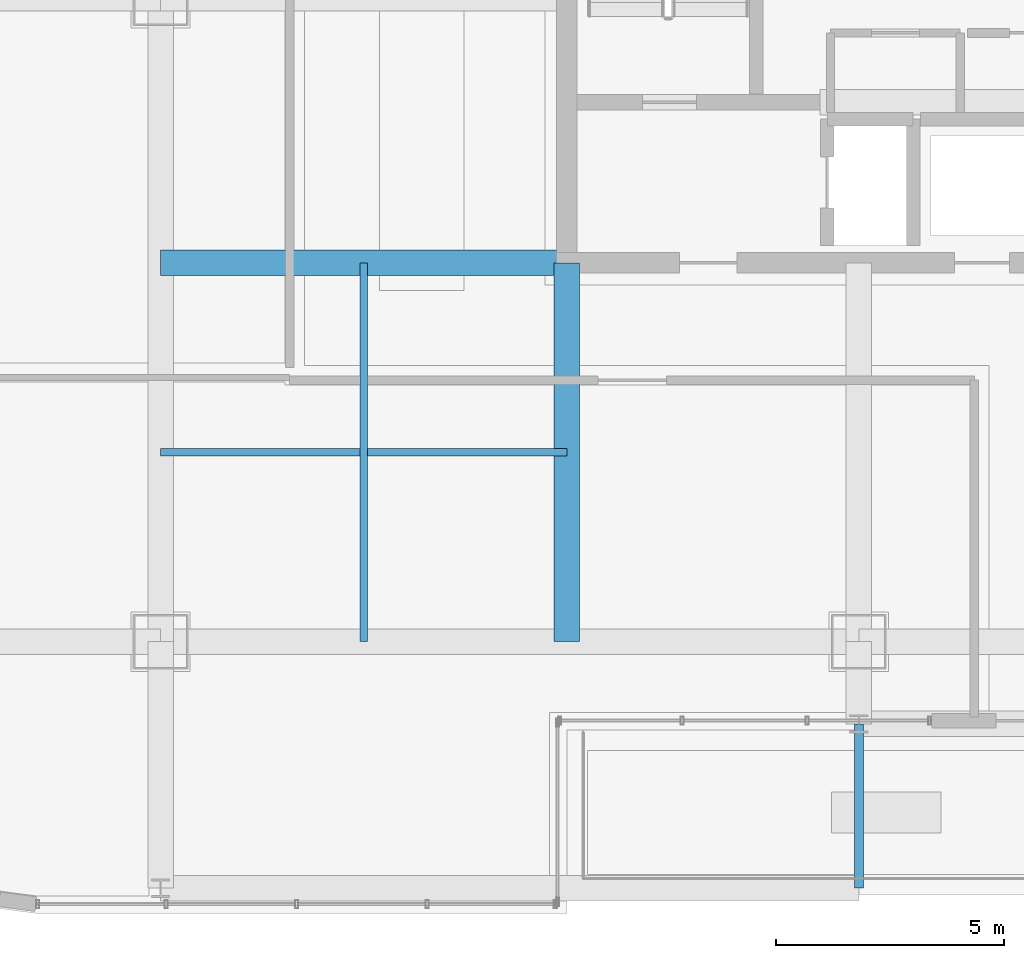
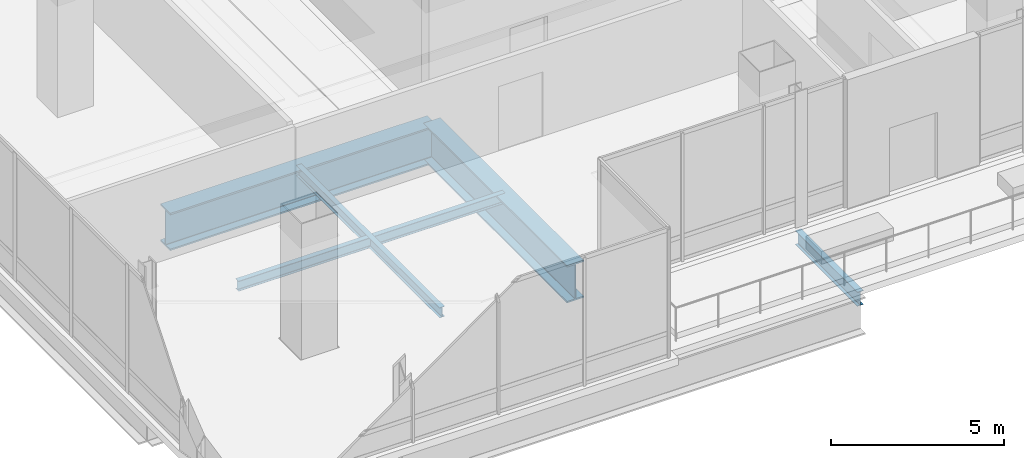
# One storey, part 6 of 44: 5 beams.
"""IFC4 building model written with IfcOpenShell, lengths in metres."""

from ifc_helpers import new_model, si_unit, direction, frame, origin, origin_2d, place, context, subcontext, project, spatial, i_section, extrude, material, material_profile, profile_set, type_object, element, save


model = new_model("IFC4")

# Units and contexts
model_context = context("Model", 3, precision=1e-05, world=origin(), true_north=direction((0.0, 1.0)))
body_context = subcontext(model_context, "Body", "Model", "MODEL_VIEW")
ifc_project = project(units=[si_unit("LENGTHUNIT", "METRE"), si_unit("AREAUNIT", "SQUARE_METRE"), si_unit("VOLUMEUNIT", "CUBIC_METRE"), si_unit("PLANEANGLEUNIT", "RADIAN"), si_unit("MASSUNIT", "GRAM", prefix="KILO")], contexts=[model_context])

# Site, building, storey
site_placement = place(None, origin())
site = spatial("IfcSite", under=ifc_project, at=site_placement, CompositionType="ELEMENT")
building_placement = place(site_placement, origin())
building = spatial("IfcBuilding", under=site, at=building_placement, Name="Punatoya Terracotta Tower", CompositionType="ELEMENT")
storey_placement = place(building_placement, frame((0.0, 0.0, 334.199951171875)))
storey = spatial("IfcBuildingStorey", under=building, at=storey_placement, Name="L79", CompositionType="ELEMENT", Elevation=334.199951171875)

# Beams
ifc_material_1 = material(Name="Steel S355", Category="steel")
ifc_material_profile_1 = material_profile(ifc_material_1, i_section(OverallWidth=0.169921875, OverallDepth=0.360107421875, WebThickness=0.008056640625, FlangeThickness=0.0126953125, FilletRadius=0.01806640625, at=origin_2d()))
ifc_profile_set_1 = profile_set([ifc_material_profile_1], Name="Steel S355")
beam_type_1 = type_object("IfcBeamType", Name="BM-SEC-360", PredefinedType="JOIST", material=ifc_profile_set_1)
beam_1_placement = place(storey_placement, frame((-19.10009765625, -13.35009765625, -0.43994140625), z_axis=(1.0, 0.0, 0.0), x_axis=(0.0, 1.0, 0.0)))
element("IfcBeam", 1, at=beam_1_placement, inside=storey, type_object=beam_type_1, Name="BM-L79-SJS-1", PredefinedType="JOIST", context=body_context, shape_type="SweptSolid", body=[
    extrude(i_section(OverallWidth=0.169921875, OverallDepth=0.360107421875, WebThickness=0.008056640625, FlangeThickness=0.0126953125, FilletRadius=0.01806640625, at=origin_2d()), origin(), (0.0, 0.0, 1.0), 8.900146484375),
])
beam_2_placement = place(storey_placement, frame((-14.64990234375, -17.5, -0.43994140625), z_axis=(0.0, 1.0, 0.0), x_axis=(-1.0, 0.0, 0.0)))
element("IfcBeam", 2, at=beam_2_placement, inside=storey, type_object=beam_type_1, Name="BM-L79-SJW-1", PredefinedType="JOIST", context=body_context, shape_type="SweptSolid", body=[
    extrude(i_section(OverallWidth=0.169921875, OverallDepth=0.360107421875, WebThickness=0.008056640625, FlangeThickness=0.0126953125, FilletRadius=0.01806640625, at=origin_2d()), origin(), (0.0, 0.0, 1.0), 8.300048828125),
])
ifc_material_profile_2 = material_profile(ifc_material_1, i_section(OverallWidth=0.199951171875, OverallDepth=0.5, WebThickness=0.01025390625, FlangeThickness=0.01611328125, FilletRadius=0.01806640625, at=origin_2d()))
ifc_profile_set_2 = profile_set([ifc_material_profile_2], Name="Steel S355")
beam_type_2 = type_object("IfcBeamType", Name="BM-SPN-500", PredefinedType="SPANDREL", material=ifc_profile_set_2)
beam_3_placement = place(storey_placement, frame((-3.800048828125, -22.89990234375, -0.47998046875), z_axis=(0.0, 1.0, 0.0), x_axis=(-1.0, 0.0, 0.0)))
element("IfcBeam", 3, at=beam_3_placement, inside=storey, type_object=beam_type_2, Name="BM-L79-TERS-1--3", PredefinedType="SPANDREL", context=body_context, shape_type="SweptSolid", body=[
    extrude(i_section(OverallWidth=0.199951171875, OverallDepth=0.5, WebThickness=0.01025390625, FlangeThickness=0.01611328125, FilletRadius=0.01806640625, at=origin_2d()), origin(), (0.0, 0.0, 1.0), 3.599853515625),
])
ifc_material_2 = material(Name="Steel S460", Category="steel")
ifc_material_profile_3 = material_profile(ifc_material_2, i_section(OverallWidth=0.56005859375, OverallDepth=1.320068359375, WebThickness=0.035888671875, FlangeThickness=0.054931640625, FilletRadius=0.01806640625, at=origin_2d()))
ifc_profile_set_3 = profile_set([ifc_material_profile_3], Name="Steel S460")
beam_type_3 = type_object("IfcBeamType", Name="BM-TG-BLK", PredefinedType="BEAM", material=ifc_profile_set_3)
beam_4_placement = place(storey_placement, frame((-19.10009765625, -9.199951171875, -0.919921875), z_axis=(1.0, 0.0, 0.0), x_axis=(0.0, 1.0, 0.0)))
element("IfcBeam", 4, at=beam_4_placement, inside=storey, type_object=beam_type_3, Name="BM-L79-PR-WS", PredefinedType="BEAM", context=body_context, shape_type="SweptSolid", body=[
    extrude(i_section(OverallWidth=0.56005859375, OverallDepth=1.320068359375, WebThickness=0.035888671875, FlangeThickness=0.054931640625, FilletRadius=0.01806640625, at=origin_2d()), origin(), (0.0, 0.0, 1.0), 8.900146484375),
])
beam_5_placement = place(storey_placement, frame((-10.199951171875, -17.5, -0.919921875), z_axis=(0.0, 1.0, 0.0), x_axis=(-1.0, 0.0, 0.0)))
element("IfcBeam", 5, at=beam_5_placement, inside=storey, type_object=beam_type_3, Name="BM-L79-PR-S1", PredefinedType="BEAM", context=body_context, shape_type="SweptSolid", body=[
    extrude(i_section(OverallWidth=0.56005859375, OverallDepth=1.320068359375, WebThickness=0.035888671875, FlangeThickness=0.054931640625, FilletRadius=0.01806640625, at=origin_2d()), origin(), (0.0, 0.0, 1.0), 8.300048828125),
])

save(model, "model.ifc")
